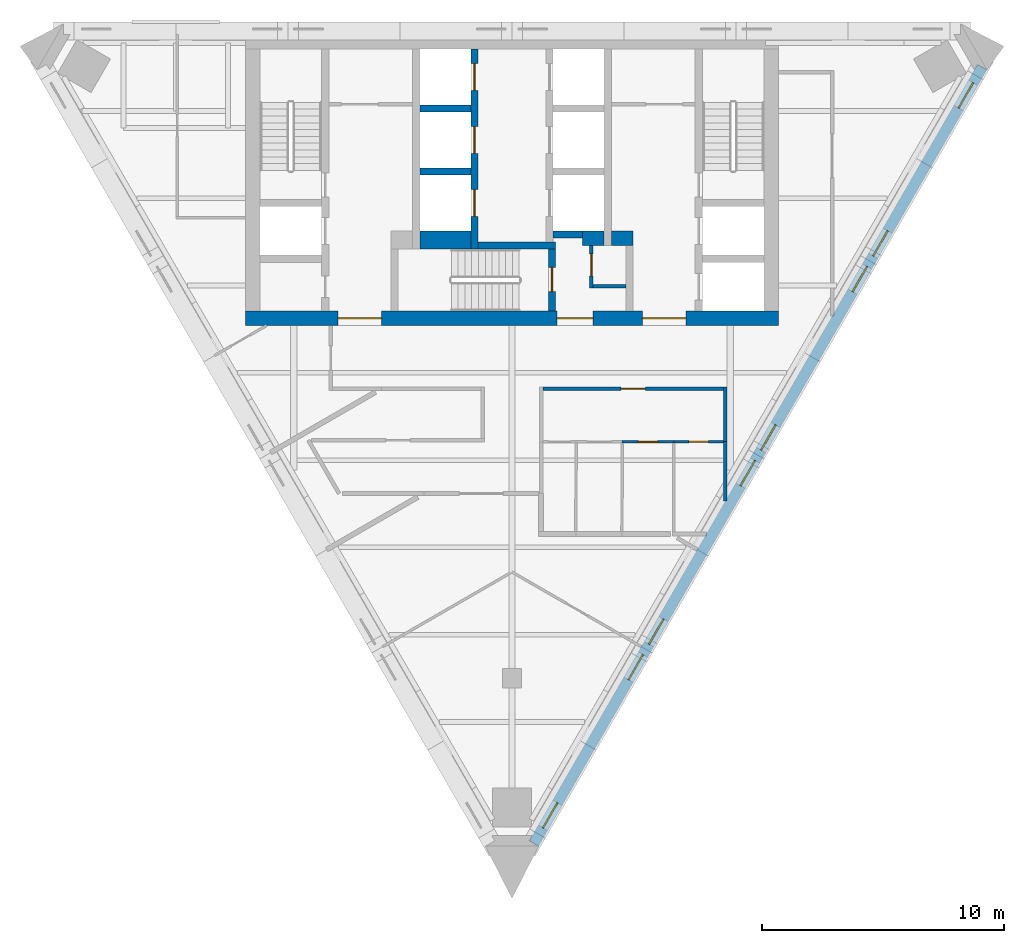
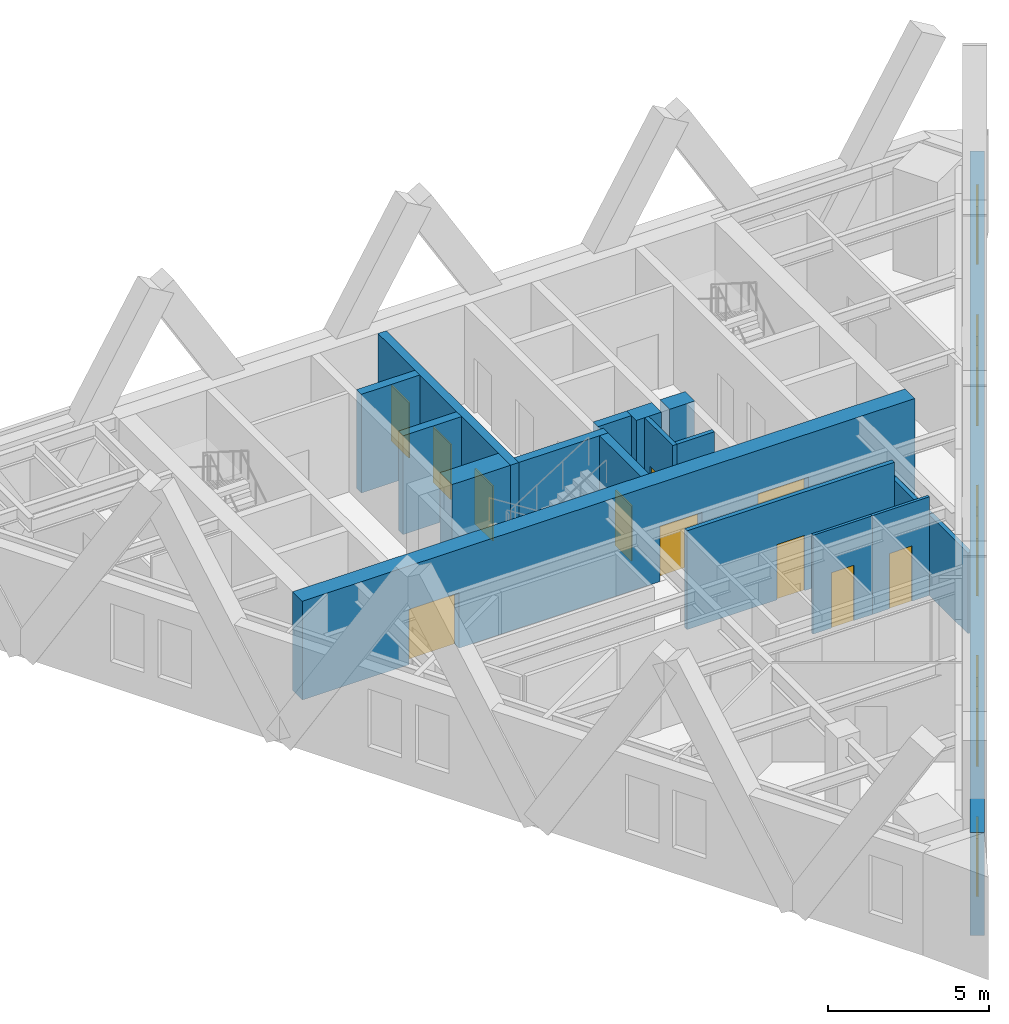
# One storey, part 4 of 7: 18 walls, 11 doors, 8 windows, 19 openings.
"""IFC4 building model written with IfcOpenShell, lengths in metres."""

from ifc_helpers import new_model, si_unit, direction, frame, frame_2d, origin, place, context, subcontext, project, spatial, polyline, rectangle, outline, extrude, material, layer, layer_set, type_object, element, fill, save


model = new_model("IFC4")

# Units and contexts
model_context = context("Model", 3, precision=1e-05, world=origin(), true_north=direction((0.0, 1.0)))
body_context = subcontext(model_context, "Body", "Model", "MODEL_VIEW")
ifc_project = project(units=[si_unit("LENGTHUNIT", "METRE"), si_unit("AREAUNIT", "SQUARE_METRE"), si_unit("VOLUMEUNIT", "CUBIC_METRE"), si_unit("PLANEANGLEUNIT", "RADIAN"), si_unit("MASSUNIT", "GRAM", prefix="KILO")], contexts=[model_context])

# Site, building, storey
site_placement = place(None, origin())
site = spatial("IfcSite", under=ifc_project, at=site_placement, CompositionType="ELEMENT")
building_placement = place(site_placement, origin())
building = spatial("IfcBuilding", under=site, at=building_placement, Name="Aloe Facet Convention Tower", CompositionType="ELEMENT")
storey_placement = place(building_placement, frame((0.0, 0.0, 246.5)))
storey = spatial("IfcBuildingStorey", under=building, at=storey_placement, Name="L60", CompositionType="ELEMENT", Elevation=246.5)

# Wall, opening, door
ifc_material_1 = material(Name="Concrete blockwork partition", Category="masonry")
ifc_layer_1 = layer(ifc_material_1, 0.14990234375)
ifc_layer_set_1 = layer_set([ifc_layer_1], Name="CR-W-PART150")
wall_type_1 = type_object("IfcWallType", Name="CR-W-PART150", PredefinedType="PARTITIONING", material=ifc_layer_set_1)
wall_1_placement = place(storey_placement, frame((83.27490234375, 125.85009765625, 0.0), z_axis=(0.0, 0.0, 1.0), x_axis=(0.0, -1.0, 0.0)))
wall_1 = element("IfcWall", 1, at=wall_1_placement, inside=storey, type_object=wall_type_1, Name="Core partition L60-022", PredefinedType="PARTITIONING", context=body_context, shape_type="SweptSolid", body=[
    extrude(rectangle(XDim=1.75, YDim=0.14990234375, at=frame_2d((0.875, 0.0))), origin(), (0.0, 0.0, 1.0), 3.75),
])
opening_1_placement = place(wall_1_placement, frame((0.35009765625, 0.0, 0.0)))
opening_1 = element("IfcOpeningElement", 2, at=opening_1_placement, cuts=wall_1, Name="Opening L60-CD12", PredefinedType="OPENING", context=body_context, shape_type="SweptSolid", body=[
    extrude(rectangle(XDim=0.89990234375, YDim=2.10009765625, at=frame_2d((0.449951171875, 1.050048828125))), frame((0.0, 0.0849609375, 0.0), z_axis=(0.0, -1.0, 0.0), x_axis=(1.0, 0.0, 0.0)), (0.0, 0.0, 1.0), 0.169921875),
])
ifc_material_2 = material(Name="Steel fire-resisting door set FD60", Category="steel")
door_type_1 = type_object("IfcDoorType", Name="CR-D-REFUGE-900-FD60-SRIGHT", OperationType="SINGLE_SWING_RIGHT", PredefinedType="DOOR", material=ifc_material_2)
door_1_placement = place(opening_1_placement, origin())
door_1 = element("IfcDoor", 3, at=door_1_placement, inside=storey, type_object=door_type_1, Name="Core door L60-CD12", OperationType="SINGLE_SWING_RIGHT", OverallHeight=2.10009765625, OverallWidth=0.89990234375, PredefinedType="DOOR", context=body_context, shape_type="SweptSolid", body=[
    extrude(rectangle(XDim=0.89990234375, YDim=2.10009765625, at=frame_2d((0.449951171875, 1.050048828125))), frame((0.0, 0.02490234375, 0.0), z_axis=(0.0, -1.0, 0.0), x_axis=(1.0, 0.0, 0.0)), (0.0, 0.0, 1.0), 0.050048828125),
])
fill(opening_1, door_1)

# Walls
wall_2_placement = place(storey_placement, frame((83.35009765625, 124.175048828125, 0.0), z_axis=(0.0, 0.0, 1.0), x_axis=(1.0, 0.0, 0.0)))
element("IfcWall", 4, at=wall_2_placement, inside=storey, type_object=wall_type_1, Name="Core partition L60-023", PredefinedType="PARTITIONING", context=body_context, shape_type="SweptSolid", body=[
    extrude(rectangle(XDim=1.349853515625, YDim=0.14990234375, at=frame_2d((0.6748046875, 0.0))), origin(), (0.0, 0.0, 1.0), 3.75),
])
ifc_material_3 = material(Name="Concrete C50/60", Category="concrete")
ifc_layer_2 = layer(ifc_material_3, 0.300048828125)
ifc_layer_set_2 = layer_set([ifc_layer_2], Name="CR-W-RC300-C5060")
wall_type_2 = type_object("IfcWallType", Name="CR-W-RC300-C5060", PredefinedType="SOLIDWALL", material=ifc_layer_set_2)
for number, where, z_axis, x_axis, name in (
    (5, (76.199951171875, 131.5, 0.0), (0.0, 0.0, 1.0), (1.0, 0.0, 0.0), "Core wall L60-011"),
    (6, (76.199951171875, 128.89990234375, 0.0), (0.0, 0.0, 1.0), (1.0, 0.0, 0.0), "Core wall L60-012"),
):
    element("IfcWall", number, at=place(storey_placement, frame(where, z_axis=z_axis, x_axis=x_axis)), inside=storey, type_object=wall_type_2, Name=name, PredefinedType="SOLIDWALL", context=body_context, shape_type="SweptSolid", body=[
        extrude(rectangle(XDim=2.10009765625, YDim=0.300048828125, at=frame_2d((1.050048828125, 0.0))), origin(), (0.0, 0.0, 1.0), 3.75),
    ])

# Wall, openings, doors
wall_3_placement = place(storey_placement, frame((78.449951171875, 133.949951171875, 0.0), z_axis=(0.0, 0.0, 1.0), x_axis=(0.0, -1.0, 0.0)))
wall_3 = element("IfcWall", 7, at=wall_3_placement, inside=storey, type_object=wall_type_2, Name="Core wall L60-014", PredefinedType="SOLIDWALL", context=body_context, shape_type="SweptSolid", body=[
    extrude(rectangle(XDim=8.25, YDim=0.300048828125, at=frame_2d((4.125, 0.0))), origin(), (0.0, 0.0, 1.0), 3.75),
])
opening_2_placement = place(wall_3_placement, frame((0.60009765625, 0.0, 0.0)))
opening_2 = element("IfcOpeningElement", 8, at=opening_2_placement, cuts=wall_3, Name="Opening LD-B1-L60", PredefinedType="OPENING", context=body_context, shape_type="SweptSolid", body=[
    extrude(rectangle(XDim=1.10009765625, YDim=2.10009765625, at=frame_2d((0.550048828125, 1.050048828125))), frame((0.0, 0.16015625, 0.0), z_axis=(0.0, -1.0, 0.0), x_axis=(1.0, 0.0, 0.0)), (0.0, 0.0, 1.0), 0.320068359375),
])
opening_3_placement = place(wall_3_placement, frame((3.199951171875, 0.0, 0.0)))
opening_3 = element("IfcOpeningElement", 9, at=opening_3_placement, cuts=wall_3, Name="Opening LD-B2-L60", PredefinedType="OPENING", context=body_context, shape_type="SweptSolid", body=[
    extrude(rectangle(XDim=1.10009765625, YDim=2.10009765625, at=frame_2d((0.550048828125, 1.050048828125))), frame((0.0, 0.16015625, 0.0), z_axis=(0.0, -1.0, 0.0), x_axis=(1.0, 0.0, 0.0)), (0.0, 0.0, 1.0), 0.320068359375),
])
opening_4_placement = place(wall_3_placement, frame((5.800048828125, 0.0, 0.0)))
opening_4 = element("IfcOpeningElement", 10, at=opening_4_placement, cuts=wall_3, Name="Opening LD-B3-L60", PredefinedType="OPENING", context=body_context, shape_type="SweptSolid", body=[
    extrude(rectangle(XDim=1.10009765625, YDim=2.10009765625, at=frame_2d((0.550048828125, 1.050048828125))), frame((0.0, 0.16015625, 0.0), z_axis=(0.0, -1.0, 0.0), x_axis=(1.0, 0.0, 0.0)), (0.0, 0.0, 1.0), 0.320068359375),
])
ifc_material_4 = material(Name="Stainless steel sliding landing door", Category="steel")
door_type_2 = type_object("IfcDoorType", Name="CR-LD-1100-FD60-RIGHT", OperationType="SLIDING_TO_RIGHT", PredefinedType="DOOR", material=ifc_material_4)
door_2_placement = place(opening_2_placement, origin())
door_2 = element("IfcDoor", 11, at=door_2_placement, inside=storey, type_object=door_type_2, Name="Landing door B1 L60", OperationType="SLIDING_TO_RIGHT", OverallHeight=2.10009765625, OverallWidth=1.10009765625, PredefinedType="DOOR", context=body_context, shape_type="SweptSolid", body=[
    extrude(rectangle(XDim=1.10009765625, YDim=2.10009765625, at=frame_2d((0.550048828125, 1.050048828125))), frame((0.0, 0.02490234375, 0.0), z_axis=(0.0, -1.0, 0.0), x_axis=(1.0, 0.0, 0.0)), (0.0, 0.0, 1.0), 0.050048828125),
])
fill(opening_2, door_2)
door_3_placement = place(opening_3_placement, origin())
door_3 = element("IfcDoor", 12, at=door_3_placement, inside=storey, type_object=door_type_2, Name="Landing door B2 L60", OperationType="SLIDING_TO_RIGHT", OverallHeight=2.10009765625, OverallWidth=1.10009765625, PredefinedType="DOOR", context=body_context, shape_type="SweptSolid", body=[
    extrude(rectangle(XDim=1.10009765625, YDim=2.10009765625, at=frame_2d((0.550048828125, 1.050048828125))), frame((0.0, 0.02490234375, 0.0), z_axis=(0.0, -1.0, 0.0), x_axis=(1.0, 0.0, 0.0)), (0.0, 0.0, 1.0), 0.050048828125),
])
fill(opening_3, door_3)
door_4_placement = place(opening_4_placement, origin())
door_4 = element("IfcDoor", 13, at=door_4_placement, inside=storey, type_object=door_type_2, Name="Landing door B3 L60", OperationType="SLIDING_TO_RIGHT", OverallHeight=2.10009765625, OverallWidth=1.10009765625, PredefinedType="DOOR", context=body_context, shape_type="SweptSolid", body=[
    extrude(rectangle(XDim=1.10009765625, YDim=2.10009765625, at=frame_2d((0.550048828125, 1.050048828125))), frame((0.0, 0.02490234375, 0.0), z_axis=(0.0, -1.0, 0.0), x_axis=(1.0, 0.0, 0.0)), (0.0, 0.0, 1.0), 0.050048828125),
])
fill(opening_4, door_4)

# Wall
wall_4_placement = place(storey_placement, frame((78.60009765625, 125.85009765625, 0.0), z_axis=(0.0, 0.0, 1.0), x_axis=(1.0, 0.0, 0.0)))
element("IfcWall", 14, at=wall_4_placement, inside=storey, type_object=wall_type_2, Name="Core wall L60-015", PredefinedType="SOLIDWALL", context=body_context, shape_type="SweptSolid", body=[
    extrude(rectangle(XDim=3.199951171875, YDim=0.300048828125, at=frame_2d((1.60009765625, 0.0))), origin(), (0.0, 0.0, 1.0), 3.75),
])

# Wall, opening, door
wall_5_placement = place(storey_placement, frame((81.64990234375, 125.699951171875, 0.0), z_axis=(0.0, 0.0, 1.0), x_axis=(0.0, -1.0, 0.0)))
wall_5 = element("IfcWall", 15, at=wall_5_placement, inside=storey, type_object=wall_type_2, Name="Core wall L60-017", PredefinedType="SOLIDWALL", context=body_context, shape_type="SweptSolid", body=[
    extrude(rectangle(XDim=2.550048828125, YDim=0.300048828125, at=frame_2d((1.27490234375, 0.0))), origin(), (0.0, 0.0, 1.0), 3.75),
])
opening_5_placement = place(wall_5_placement, frame((0.75, 0.0, 0.0)))
opening_5 = element("IfcOpeningElement", 16, at=opening_5_placement, cuts=wall_5, Name="Opening L60-CD18", PredefinedType="OPENING", context=body_context, shape_type="SweptSolid", body=[
    extrude(rectangle(XDim=1.0, YDim=2.10009765625, at=frame_2d((0.5, 1.050048828125))), frame((0.0, 0.16015625, 0.0), z_axis=(0.0, -1.0, 0.0), x_axis=(1.0, 0.0, 0.0)), (0.0, 0.0, 1.0), 0.320068359375),
])
ifc_material_5 = material(Name="Steel fire-resisting door set FD120", Category="steel")
door_type_3 = type_object("IfcDoorType", Name="CR-D-STAIR-1000-FD120-SLEFT", OperationType="SINGLE_SWING_LEFT", PredefinedType="DOOR", material=ifc_material_5)
door_5_placement = place(opening_5_placement, origin())
door_5 = element("IfcDoor", 17, at=door_5_placement, inside=storey, type_object=door_type_3, Name="Core door L60-CD18", OperationType="SINGLE_SWING_LEFT", OverallHeight=2.10009765625, OverallWidth=1.0, PredefinedType="DOOR", context=body_context, shape_type="SweptSolid", body=[
    extrude(rectangle(XDim=1.0, YDim=2.10009765625, at=frame_2d((0.5, 1.050048828125))), frame((0.0, 0.02490234375, 0.0), z_axis=(0.0, -1.0, 0.0), x_axis=(1.0, 0.0, 0.0)), (0.0, 0.0, 1.0), 0.050048828125),
])
fill(opening_5, door_5)

# Wall
wall_6_placement = place(storey_placement, frame((81.699951171875, 126.300048828125, 0.0), z_axis=(0.0, 0.0, 1.0), x_axis=(1.0, 0.0, 0.0)))
element("IfcWall", 18, at=wall_6_placement, inside=storey, type_object=wall_type_2, Name="Core wall L60-020", PredefinedType="SOLIDWALL", context=body_context, shape_type="SweptSolid", body=[
    extrude(rectangle(XDim=1.199951171875, YDim=0.300048828125, at=frame_2d((0.60009765625, 0.0))), origin(), (0.0, 0.0, 1.0), 3.75),
])

# Wall, openings, doors
ifc_material_6 = material(Name="Concrete C50/60", Category="concrete")
ifc_layer_3 = layer(ifc_material_6, 0.60009765625)
ifc_layer_set_3 = layer_set([ifc_layer_3], Name="CR-W-RC600-C5060")
wall_type_3 = type_object("IfcWallType", Name="CR-W-RC600-C5060", PredefinedType="SOLIDWALL", material=ifc_layer_set_3)
wall_7_placement = place(storey_placement, frame((69.0, 122.85009765625, 0.0), z_axis=(0.0, 0.0, 1.0), x_axis=(1.0, 0.0, 0.0)))
wall_7 = element("IfcWall", 19, at=wall_7_placement, inside=storey, type_object=wall_type_3, Name="Core wall L60-003", PredefinedType="SOLIDWALL", context=body_context, shape_type="SweptSolid", body=[
    extrude(rectangle(XDim=22.0, YDim=0.60009765625, at=frame_2d((11.0, 0.0))), origin(), (0.0, 0.0, 1.0), 3.75),
])
opening_6_placement = place(wall_7_placement, frame((16.375, 0.0, 0.0)))
opening_6 = element("IfcOpeningElement", 20, at=opening_6_placement, cuts=wall_7, Name="Opening L60-CD09", PredefinedType="OPENING", context=body_context, shape_type="SweptSolid", body=[
    extrude(rectangle(XDim=1.800048828125, YDim=2.10009765625, at=frame_2d((0.89990234375, 1.050048828125))), frame((0.0, 0.31005859375, 0.0), z_axis=(0.0, -1.0, 0.0), x_axis=(1.0, 0.0, 0.0)), (0.0, 0.0, 1.0), 0.6201171875),
])
opening_7_placement = place(wall_7_placement, frame((3.824951171875, 0.0, 0.0)))
opening_7 = element("IfcOpeningElement", 21, at=opening_7_placement, cuts=wall_7, Name="Opening L60-CD10", PredefinedType="OPENING", context=body_context, shape_type="SweptSolid", body=[
    extrude(rectangle(XDim=1.800048828125, YDim=2.10009765625, at=frame_2d((0.89990234375, 1.050048828125))), frame((0.0, 0.31005859375, 0.0), z_axis=(0.0, -1.0, 0.0), x_axis=(1.0, 0.0, 0.0)), (0.0, 0.0, 1.0), 0.6201171875),
])
opening_8_placement = place(wall_7_placement, frame((12.85009765625, 0.0, 0.0)))
opening_8 = element("IfcOpeningElement", 22, at=opening_8_placement, cuts=wall_7, Name="Opening L60-CD11", PredefinedType="OPENING", context=body_context, shape_type="SweptSolid", body=[
    extrude(rectangle(XDim=1.5, YDim=2.10009765625, at=frame_2d((0.75, 1.050048828125))), frame((0.0, 0.31005859375, 0.0), z_axis=(0.0, -1.0, 0.0), x_axis=(1.0, 0.0, 0.0)), (0.0, 0.0, 1.0), 0.6201171875),
])
ifc_material_7 = material(Name="Steel fire-resisting door set FD60", Category="steel")
door_type_4 = type_object("IfcDoorType", Name="CR-D-EXIT-1500-FD60-DD", OperationType="DOUBLE_DOOR_DOUBLE_SWING", PredefinedType="DOOR", material=ifc_material_7)
door_6_placement = place(opening_8_placement, origin())
door_6 = element("IfcDoor", 23, at=door_6_placement, inside=storey, type_object=door_type_4, Name="Core door L60-CD11", OperationType="DOUBLE_DOOR_DOUBLE_SWING", OverallHeight=2.10009765625, OverallWidth=1.5, PredefinedType="DOOR", context=body_context, shape_type="SweptSolid", body=[
    extrude(rectangle(XDim=1.5, YDim=2.10009765625, at=frame_2d((0.75, 1.050048828125))), frame((0.0, 0.02490234375, 0.0), z_axis=(0.0, -1.0, 0.0), x_axis=(1.0, 0.0, 0.0)), (0.0, 0.0, 1.0), 0.050048828125),
])
fill(opening_8, door_6)
ifc_material_8 = material(Name="Steel fire-resisting door set FD120", Category="steel")
door_type_5 = type_object("IfcDoorType", Name="CR-D-EXIT-1800-FD120-DD", OperationType="DOUBLE_DOOR_DOUBLE_SWING", PredefinedType="DOOR", material=ifc_material_8)
door_7_placement = place(opening_6_placement, origin())
door_7 = element("IfcDoor", 24, at=door_7_placement, inside=storey, type_object=door_type_5, Name="Core door L60-CD09", OperationType="DOUBLE_DOOR_DOUBLE_SWING", OverallHeight=2.10009765625, OverallWidth=1.800048828125, PredefinedType="DOOR", context=body_context, shape_type="SweptSolid", body=[
    extrude(rectangle(XDim=1.800048828125, YDim=2.10009765625, at=frame_2d((0.89990234375, 1.050048828125))), frame((0.0, 0.02490234375, 0.0), z_axis=(0.0, -1.0, 0.0), x_axis=(1.0, 0.0, 0.0)), (0.0, 0.0, 1.0), 0.050048828125),
])
fill(opening_6, door_7)
door_8_placement = place(opening_7_placement, origin())
door_8 = element("IfcDoor", 25, at=door_8_placement, inside=storey, type_object=door_type_5, Name="Core door L60-CD10", OperationType="DOUBLE_DOOR_DOUBLE_SWING", OverallHeight=2.10009765625, OverallWidth=1.800048828125, PredefinedType="DOOR", context=body_context, shape_type="SweptSolid", body=[
    extrude(rectangle(XDim=1.800048828125, YDim=2.10009765625, at=frame_2d((0.89990234375, 1.050048828125))), frame((0.0, 0.02490234375, 0.0), z_axis=(0.0, -1.0, 0.0), x_axis=(1.0, 0.0, 0.0)), (0.0, 0.0, 1.0), 0.050048828125),
])
fill(opening_7, door_8)

# Walls
wall_8_placement = place(storey_placement, frame((82.89990234375, 126.14990234375, 0.0), z_axis=(0.0, 0.0, 1.0), x_axis=(1.0, 0.0, 0.0)))
element("IfcWall", 26, at=wall_8_placement, inside=storey, type_object=wall_type_3, Name="Core wall L60-021", PredefinedType="SOLIDWALL", context=body_context, shape_type="SweptSolid", body=[
    extrude(rectangle(XDim=0.900146484375, YDim=0.60009765625, at=frame_2d((0.4501953125, 0.0))), origin(), (0.0, 0.0, 1.0), 3.75),
])
wall_9_placement = place(storey_placement, frame((84.10009765625, 126.14990234375, 0.0), z_axis=(0.0, 0.0, 1.0), x_axis=(1.0, 0.0, 0.0)))
element("IfcWall", 27, at=wall_9_placement, inside=storey, type_object=wall_type_3, Name="Core wall L60-026", PredefinedType="SOLIDWALL", context=body_context, shape_type="SweptSolid", body=[
    extrude(rectangle(XDim=0.89990234375, YDim=0.60009765625, at=frame_2d((0.449951171875, 0.0))), origin(), (0.0, 0.0, 1.0), 3.75),
])
ifc_material_9 = material(Name="Concrete C50/60", Category="concrete")
ifc_layer_4 = layer(ifc_material_9, 0.75)
ifc_layer_set_4 = layer_set([ifc_layer_4], Name="CR-W-RC750-C5060")
wall_type_4 = type_object("IfcWallType", Name="CR-W-RC750-C5060", PredefinedType="SOLIDWALL", material=ifc_layer_set_4)
wall_10_placement = place(storey_placement, frame((76.199951171875, 126.074951171875, 0.0), z_axis=(0.0, 0.0, 1.0), x_axis=(1.0, 0.0, 0.0)))
element("IfcWall", 28, at=wall_10_placement, inside=storey, type_object=wall_type_4, Name="Core wall L60-013", PredefinedType="SOLIDWALL", context=body_context, shape_type="SweptSolid", body=[
    extrude(rectangle(XDim=2.10009765625, YDim=0.75, at=frame_2d((1.050048828125, 0.0))), origin(), (0.0, 0.0, 1.0), 3.75),
])

# Wall, openings, windows
ifc_material_10 = material(Name="Precast concrete C40/50", Category="concrete")
ifc_layer_5 = layer(ifc_material_10, 0.449951171875)
ifc_layer_set_5 = layer_set([ifc_layer_5], Name="EV-WALL-STONE")
wall_type_5 = type_object("IfcWallType", Name="EV-WALL-STONE", PredefinedType="SOLIDWALL", material=ifc_layer_set_5)
wall_11_placement = place(storey_placement, frame((80.905029296875, 101.188232421875, -0.14990234375), z_axis=(0.0, 0.0, 1.0), x_axis=(0.500002536638, 0.866023939251, 0.0)))
wall_11 = element("IfcWall", 29, at=wall_11_placement, inside=storey, type_object=wall_type_5, Name="EW-L60-E01", PredefinedType="SOLIDWALL", context=body_context, shape_type="SweptSolid", body=[
    extrude(outline(polyline([(36.972412109375, 0.0), (36.972412109375, 3.89990234375), (0.0, 3.89990234375), (0.0, 0.0), (36.972412109375, 0.0)])), frame((0.0, 0.22509765625, 0.0), z_axis=(0.0, -1.0, 0.0), x_axis=(1.0, 0.0, 0.0)), (0.0, 0.0, 1.0), 0.449951171875),
])
opening_9_placement = place(wall_11_placement, frame((0.744140625, 0.0, 0.949951171875)))
opening_9 = element("IfcOpeningElement", 30, at=opening_9_placement, cuts=wall_11, Name="Opening W-L60-E01", PredefinedType="OPENING", context=body_context, shape_type="SweptSolid", body=[
    extrude(rectangle(XDim=1.199951171875, YDim=2.199951171875, at=frame_2d((0.60009765625, 1.10009765625))), frame((0.0, 0.23486328125, 0.0), z_axis=(0.0, -1.0, 0.0), x_axis=(1.0, 0.0, 0.0)), (0.0, 0.0, 1.0), 0.469970703125),
])
opening_10_placement = place(wall_11_placement, frame((7.79296875, 0.0, 0.949951171875)))
opening_10 = element("IfcOpeningElement", 31, at=opening_10_placement, cuts=wall_11, Name="Opening W-L60-E02", PredefinedType="OPENING", context=body_context, shape_type="SweptSolid", body=[
    extrude(rectangle(XDim=1.199951171875, YDim=2.199951171875, at=frame_2d((0.60009765625, 1.10009765625))), frame((0.0, 0.23486328125, 0.0), z_axis=(0.0, -1.0, 0.0), x_axis=(1.0, 0.0, 0.0)), (0.0, 0.0, 1.0), 0.469970703125),
])
opening_11_placement = place(wall_11_placement, frame((9.4931640625, 0.0, 0.949951171875)))
opening_11 = element("IfcOpeningElement", 32, at=opening_11_placement, cuts=wall_11, Name="Opening W-L60-E03", PredefinedType="OPENING", context=body_context, shape_type="SweptSolid", body=[
    extrude(rectangle(XDim=1.199951171875, YDim=2.199951171875, at=frame_2d((0.60009765625, 1.10009765625))), frame((0.0, 0.23486328125, 0.0), z_axis=(0.0, -1.0, 0.0), x_axis=(1.0, 0.0, 0.0)), (0.0, 0.0, 1.0), 0.469970703125),
])
opening_12_placement = place(wall_11_placement, frame((17.0361328125, 0.0, 0.949951171875)))
opening_12 = element("IfcOpeningElement", 33, at=opening_12_placement, cuts=wall_11, Name="Opening W-L60-E04", PredefinedType="OPENING", context=body_context, shape_type="SweptSolid", body=[
    extrude(rectangle(XDim=1.199951171875, YDim=2.199951171875, at=frame_2d((0.60009765625, 1.10009765625))), frame((0.0, 0.23486328125, 0.0), z_axis=(0.0, -1.0, 0.0), x_axis=(1.0, 0.0, 0.0)), (0.0, 0.0, 1.0), 0.469970703125),
])
opening_13_placement = place(wall_11_placement, frame((18.736083984375, 0.0, 0.949951171875)))
opening_13 = element("IfcOpeningElement", 34, at=opening_13_placement, cuts=wall_11, Name="Opening W-L60-E05", PredefinedType="OPENING", context=body_context, shape_type="SweptSolid", body=[
    extrude(rectangle(XDim=1.199951171875, YDim=2.199951171875, at=frame_2d((0.60009765625, 1.10009765625))), frame((0.0, 0.23486328125, 0.0), z_axis=(0.0, -1.0, 0.0), x_axis=(1.0, 0.0, 0.0)), (0.0, 0.0, 1.0), 0.469970703125),
])
opening_14_placement = place(wall_11_placement, frame((26.279296875, 0.0, 0.949951171875)))
opening_14 = element("IfcOpeningElement", 35, at=opening_14_placement, cuts=wall_11, Name="Opening W-L60-E06", PredefinedType="OPENING", context=body_context, shape_type="SweptSolid", body=[
    extrude(rectangle(XDim=1.199951171875, YDim=2.199951171875, at=frame_2d((0.60009765625, 1.10009765625))), frame((0.0, 0.23486328125, 0.0), z_axis=(0.0, -1.0, 0.0), x_axis=(1.0, 0.0, 0.0)), (0.0, 0.0, 1.0), 0.469970703125),
])
opening_15_placement = place(wall_11_placement, frame((27.979248046875, 0.0, 0.949951171875)))
opening_15 = element("IfcOpeningElement", 36, at=opening_15_placement, cuts=wall_11, Name="Opening W-L60-E07", PredefinedType="OPENING", context=body_context, shape_type="SweptSolid", body=[
    extrude(rectangle(XDim=1.199951171875, YDim=2.199951171875, at=frame_2d((0.60009765625, 1.10009765625))), frame((0.0, 0.23486328125, 0.0), z_axis=(0.0, -1.0, 0.0), x_axis=(1.0, 0.0, 0.0)), (0.0, 0.0, 1.0), 0.469970703125),
])
opening_16_placement = place(wall_11_placement, frame((35.028076171875, 0.0, 0.949951171875)))
opening_16 = element("IfcOpeningElement", 37, at=opening_16_placement, cuts=wall_11, Name="Opening W-L60-E08", PredefinedType="OPENING", context=body_context, shape_type="SweptSolid", body=[
    extrude(rectangle(XDim=1.199951171875, YDim=2.199951171875, at=frame_2d((0.60009765625, 1.10009765625))), frame((0.0, 0.23486328125, 0.0), z_axis=(0.0, -1.0, 0.0), x_axis=(1.0, 0.0, 0.0)), (0.0, 0.0, 1.0), 0.469970703125),
])
ifc_material_11 = material(Name="Aluminium frame, clear double glazing", Category="aluminium")
window_type = type_object("IfcWindowType", Name="EV-WIN-O12", PartitioningType="SINGLE_PANEL", PredefinedType="WINDOW", material=ifc_material_11)
window_1_placement = place(opening_9_placement, origin())
window_1 = element("IfcWindow", 38, at=window_1_placement, inside=storey, type_object=window_type, Name="W-L60-E01", OverallHeight=2.199951171875, OverallWidth=1.199951171875, PartitioningType="SINGLE_PANEL", PredefinedType="WINDOW", context=body_context, shape_type="SweptSolid", body=[
    extrude(rectangle(XDim=1.199951171875, YDim=2.199951171875, at=frame_2d((0.60009765625, 1.10009765625))), frame((0.0, 0.030029296875, 0.0), z_axis=(0.0, -1.0, 0.0), x_axis=(1.0, 0.0, 0.0)), (0.0, 0.0, 1.0), 0.06005859375),
])
fill(opening_9, window_1)
window_2_placement = place(opening_10_placement, origin())
window_2 = element("IfcWindow", 39, at=window_2_placement, inside=storey, type_object=window_type, Name="W-L60-E02", OverallHeight=2.199951171875, OverallWidth=1.199951171875, PartitioningType="SINGLE_PANEL", PredefinedType="WINDOW", context=body_context, shape_type="SweptSolid", body=[
    extrude(rectangle(XDim=1.199951171875, YDim=2.199951171875, at=frame_2d((0.60009765625, 1.10009765625))), frame((0.0, 0.030029296875, 0.0), z_axis=(0.0, -1.0, 0.0), x_axis=(1.0, 0.0, 0.0)), (0.0, 0.0, 1.0), 0.06005859375),
])
fill(opening_10, window_2)
window_3_placement = place(opening_11_placement, origin())
window_3 = element("IfcWindow", 40, at=window_3_placement, inside=storey, type_object=window_type, Name="W-L60-E03", OverallHeight=2.199951171875, OverallWidth=1.199951171875, PartitioningType="SINGLE_PANEL", PredefinedType="WINDOW", context=body_context, shape_type="SweptSolid", body=[
    extrude(rectangle(XDim=1.199951171875, YDim=2.199951171875, at=frame_2d((0.60009765625, 1.10009765625))), frame((0.0, 0.030029296875, 0.0), z_axis=(0.0, -1.0, 0.0), x_axis=(1.0, 0.0, 0.0)), (0.0, 0.0, 1.0), 0.06005859375),
])
fill(opening_11, window_3)
window_4_placement = place(opening_12_placement, origin())
window_4 = element("IfcWindow", 41, at=window_4_placement, inside=storey, type_object=window_type, Name="W-L60-E04", OverallHeight=2.199951171875, OverallWidth=1.199951171875, PartitioningType="SINGLE_PANEL", PredefinedType="WINDOW", context=body_context, shape_type="SweptSolid", body=[
    extrude(rectangle(XDim=1.199951171875, YDim=2.199951171875, at=frame_2d((0.60009765625, 1.10009765625))), frame((0.0, 0.030029296875, 0.0), z_axis=(0.0, -1.0, 0.0), x_axis=(1.0, 0.0, 0.0)), (0.0, 0.0, 1.0), 0.06005859375),
])
fill(opening_12, window_4)
window_5_placement = place(opening_13_placement, origin())
window_5 = element("IfcWindow", 42, at=window_5_placement, inside=storey, type_object=window_type, Name="W-L60-E05", OverallHeight=2.199951171875, OverallWidth=1.199951171875, PartitioningType="SINGLE_PANEL", PredefinedType="WINDOW", context=body_context, shape_type="SweptSolid", body=[
    extrude(rectangle(XDim=1.199951171875, YDim=2.199951171875, at=frame_2d((0.60009765625, 1.10009765625))), frame((0.0, 0.030029296875, 0.0), z_axis=(0.0, -1.0, 0.0), x_axis=(1.0, 0.0, 0.0)), (0.0, 0.0, 1.0), 0.06005859375),
])
fill(opening_13, window_5)
window_6_placement = place(opening_14_placement, origin())
window_6 = element("IfcWindow", 43, at=window_6_placement, inside=storey, type_object=window_type, Name="W-L60-E06", OverallHeight=2.199951171875, OverallWidth=1.199951171875, PartitioningType="SINGLE_PANEL", PredefinedType="WINDOW", context=body_context, shape_type="SweptSolid", body=[
    extrude(rectangle(XDim=1.199951171875, YDim=2.199951171875, at=frame_2d((0.60009765625, 1.10009765625))), frame((0.0, 0.030029296875, 0.0), z_axis=(0.0, -1.0, 0.0), x_axis=(1.0, 0.0, 0.0)), (0.0, 0.0, 1.0), 0.06005859375),
])
fill(opening_14, window_6)
window_7_placement = place(opening_15_placement, origin())
window_7 = element("IfcWindow", 44, at=window_7_placement, inside=storey, type_object=window_type, Name="W-L60-E07", OverallHeight=2.199951171875, OverallWidth=1.199951171875, PartitioningType="SINGLE_PANEL", PredefinedType="WINDOW", context=body_context, shape_type="SweptSolid", body=[
    extrude(rectangle(XDim=1.199951171875, YDim=2.199951171875, at=frame_2d((0.60009765625, 1.10009765625))), frame((0.0, 0.030029296875, 0.0), z_axis=(0.0, -1.0, 0.0), x_axis=(1.0, 0.0, 0.0)), (0.0, 0.0, 1.0), 0.06005859375),
])
fill(opening_15, window_7)
window_8_placement = place(opening_16_placement, origin())
window_8 = element("IfcWindow", 45, at=window_8_placement, inside=storey, type_object=window_type, Name="W-L60-E08", OverallHeight=2.199951171875, OverallWidth=1.199951171875, PartitioningType="SINGLE_PANEL", PredefinedType="WINDOW", context=body_context, shape_type="SweptSolid", body=[
    extrude(rectangle(XDim=1.199951171875, YDim=2.199951171875, at=frame_2d((0.60009765625, 1.10009765625))), frame((0.0, 0.030029296875, 0.0), z_axis=(0.0, -1.0, 0.0), x_axis=(1.0, 0.0, 0.0)), (0.0, 0.0, 1.0), 0.06005859375),
])
fill(opening_16, window_8)

# Walls
ifc_material_12 = material(Name="Gypsum board partition on steel studs", Category="steel")
ifc_layer_6 = layer(ifc_material_12, 0.14990234375)
ifc_layer_set_6 = layer_set([ifc_layer_6], Name="IN-W-CORR")
wall_type_6 = type_object("IfcWallType", Name="IN-W-CORR", PredefinedType="PARTITIONING", material=ifc_layer_set_6)
wall_12_placement = place(storey_placement, frame((88.800048828125, 115.313232421875, 0.0), z_axis=(0.0, 0.0, 1.0), x_axis=(0.0, 1.0, 0.0)))
element("IfcWall", 46, at=wall_12_placement, inside=storey, type_object=wall_type_6, Name="Partition L60-W010", PredefinedType="PARTITIONING", context=body_context, shape_type="SweptSolid", body=[
    extrude(rectangle(XDim=2.44677734375, YDim=0.14990234375, at=frame_2d((1.223388671875, 0.0))), origin(), (0.0, 0.0, 1.0), 3.06201171875),
])
wall_13_placement = place(storey_placement, frame((88.800048828125, 117.760009765625, 0.0), z_axis=(0.0, 0.0, 1.0), x_axis=(0.0, 1.0, 0.0)))
element("IfcWall", 47, at=wall_13_placement, inside=storey, type_object=wall_type_6, Name="Partition L60-W016", PredefinedType="PARTITIONING", context=body_context, shape_type="SweptSolid", body=[
    extrude(rectangle(XDim=2.262939453125, YDim=0.14990234375, at=frame_2d((1.13134765625, 0.0))), origin(), (0.0, 0.0, 1.0), 3.06201171875),
])

# Wall, opening, door
wall_14_placement = place(storey_placement, frame((81.27490234375, 119.947998046875, 0.0), z_axis=(0.0, 0.0, 1.0), x_axis=(1.0, 0.0, 0.0)))
wall_14 = element("IfcWall", 48, at=wall_14_placement, inside=storey, type_object=wall_type_6, Name="Partition L60-W031", PredefinedType="PARTITIONING", context=body_context, shape_type="SweptSolid", body=[
    extrude(rectangle(XDim=7.4501953125, YDim=0.14990234375, at=frame_2d((3.72509765625, 0.0))), origin(), (0.0, 0.0, 1.0), 3.75),
])
opening_17_placement = place(wall_14_placement, frame((3.22509765625, 0.0, 0.0)))
opening_17 = element("IfcOpeningElement", 49, at=opening_17_placement, cuts=wall_14, Name="Opening L60-001", PredefinedType="OPENING", context=body_context, shape_type="SweptSolid", body=[
    extrude(rectangle(XDim=1.0, YDim=2.10009765625, at=frame_2d((0.5, 1.050048828125))), frame((0.0, 0.0849609375, 0.0), z_axis=(0.0, -1.0, 0.0), x_axis=(1.0, 0.0, 0.0)), (0.0, 0.0, 1.0), 0.169921875),
])
ifc_material_13 = material(Name="Timber door FD30S with vision panel", Category="wood")
door_type_6 = type_object("IfcDoorType", Name="IN-OFF-D-ENTRY", OperationType="SINGLE_SWING_LEFT", PredefinedType="DOOR", material=ifc_material_13)
door_9_placement = place(opening_17_placement, origin())
door_9 = element("IfcDoor", 50, at=door_9_placement, inside=storey, type_object=door_type_6, Name="Door L60-001", OperationType="SINGLE_SWING_LEFT", OverallHeight=2.10009765625, OverallWidth=1.0, PredefinedType="DOOR", context=body_context, shape_type="SweptSolid", body=[
    extrude(rectangle(XDim=1.0, YDim=2.10009765625, at=frame_2d((0.5, 1.050048828125))), frame((0.0, 0.02490234375, 0.0), z_axis=(0.0, -1.0, 0.0), x_axis=(1.0, 0.0, 0.0)), (0.0, 0.0, 1.0), 0.050048828125),
])
fill(opening_17, door_9)

ifc_material_14 = material(Name="Gypsum board partition on steel studs", Category="steel")
ifc_layer_7 = layer(ifc_material_14, 0.10009765625)
ifc_layer_set_7 = layer_set([ifc_layer_7], Name="IN-W-PART")
wall_type_7 = type_object("IfcWallType", Name="IN-W-PART", PredefinedType="PARTITIONING", material=ifc_layer_set_7)
wall_15_placement = place(storey_placement, frame((84.5439453125, 117.75, 0.0), z_axis=(0.0, 0.0, 1.0), x_axis=(1.0, 0.0, 0.0)))
wall_15 = element("IfcWall", 51, at=wall_15_placement, inside=storey, type_object=wall_type_7, Name="Partition L60-W022", PredefinedType="PARTITIONING", context=body_context, shape_type="SweptSolid", body=[
    extrude(rectangle(XDim=2.128173828125, YDim=0.10009765625, at=frame_2d((1.06396484375, 0.0))), origin(), (0.0, 0.0, 1.0), 3.75),
])
opening_18_placement = place(wall_15_placement, frame((0.6640625, 0.0, 0.0)))
opening_18 = element("IfcOpeningElement", 52, at=opening_18_placement, cuts=wall_15, Name="Opening L60-004", PredefinedType="OPENING", context=body_context, shape_type="SweptSolid", body=[
    extrude(rectangle(XDim=0.800048828125, YDim=2.10009765625, at=frame_2d((0.39990234375, 1.050048828125))), frame((0.0, 0.06005859375, 0.0), z_axis=(0.0, -1.0, 0.0), x_axis=(1.0, 0.0, 0.0)), (0.0, 0.0, 1.0), 0.1201171875),
])
ifc_material_15 = material(Name="Timber door", Category="wood")
door_type_7 = type_object("IfcDoorType", Name="IN-OFF-D-WC", OperationType="SINGLE_SWING_LEFT", PredefinedType="DOOR", material=ifc_material_15)
door_10_placement = place(opening_18_placement, origin())
door_10 = element("IfcDoor", 53, at=door_10_placement, inside=storey, type_object=door_type_7, Name="Door L60-004", OperationType="SINGLE_SWING_LEFT", OverallHeight=2.10009765625, OverallWidth=0.800048828125, PredefinedType="DOOR", context=body_context, shape_type="SweptSolid", body=[
    extrude(rectangle(XDim=0.800048828125, YDim=2.10009765625, at=frame_2d((0.39990234375, 1.050048828125))), frame((0.0, 0.02490234375, 0.0), z_axis=(0.0, -1.0, 0.0), x_axis=(1.0, 0.0, 0.0)), (0.0, 0.0, 1.0), 0.050048828125),
])
fill(opening_18, door_10)

wall_16_placement = place(storey_placement, frame((86.672119140625, 117.75, 0.0), z_axis=(0.0, 0.0, 1.0), x_axis=(0.99998868658, 0.004756754366, 0.0)))
wall_16 = element("IfcWall", 54, at=wall_16_placement, inside=storey, type_object=wall_type_7, Name="Partition L60-W023", PredefinedType="PARTITIONING", context=body_context, shape_type="SweptSolid", body=[
    extrude(rectangle(XDim=2.052978515625, YDim=0.10009765625, at=frame_2d((1.0263671875, 0.0))), origin(), (0.0, 0.0, 1.0), 3.75),
])
opening_19_placement = place(wall_16_placement, frame((0.62646484375, 0.0, 0.0)))
opening_19 = element("IfcOpeningElement", 55, at=opening_19_placement, cuts=wall_16, Name="Opening L60-005", PredefinedType="OPENING", context=body_context, shape_type="SweptSolid", body=[
    extrude(rectangle(XDim=0.800048828125, YDim=2.10009765625, at=frame_2d((0.39990234375, 1.050048828125))), frame((0.0, 0.06005859375, 0.0), z_axis=(0.0, -1.0, 0.0), x_axis=(1.0, 0.0, 0.0)), (0.0, 0.0, 1.0), 0.1201171875),
])
door_11_placement = place(opening_19_placement, origin())
door_11 = element("IfcDoor", 56, at=door_11_placement, inside=storey, type_object=door_type_7, Name="Door L60-005", OperationType="SINGLE_SWING_LEFT", OverallHeight=2.10009765625, OverallWidth=0.800048828125, PredefinedType="DOOR", context=body_context, shape_type="SweptSolid", body=[
    extrude(rectangle(XDim=0.800048828125, YDim=2.10009765625, at=frame_2d((0.39990234375, 1.050048828125))), frame((0.0, 0.02490234375, 0.0), z_axis=(0.0, -1.0, 0.0), x_axis=(1.0, 0.0, 0.0)), (0.0, 0.0, 1.0), 0.050048828125),
])
fill(opening_19, door_11)

save(model, "model.ifc")
